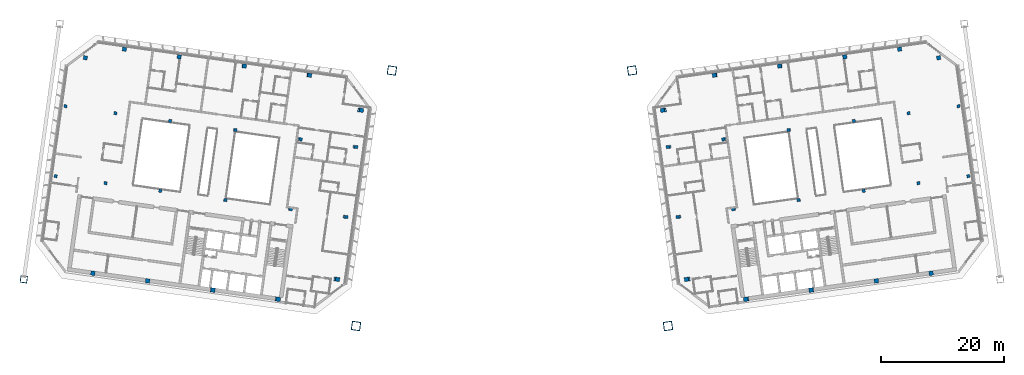
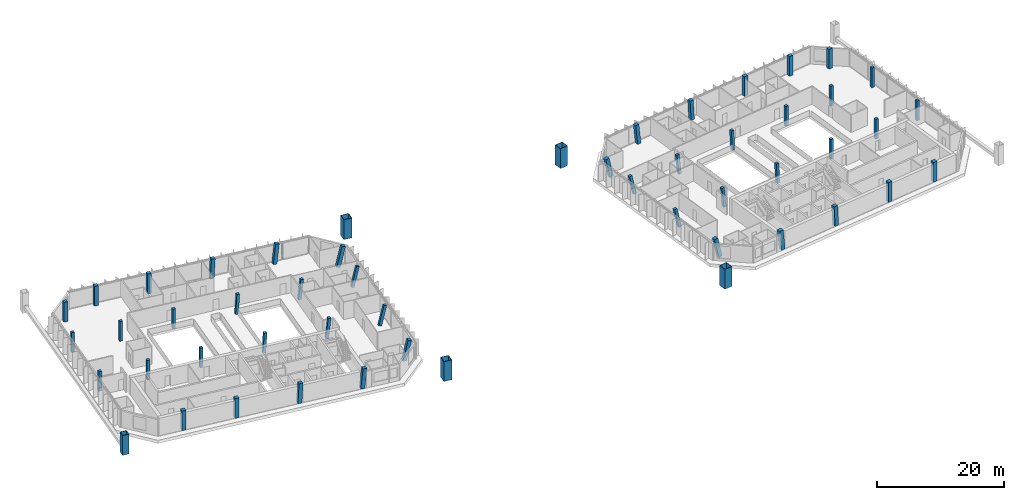
# One storey, part 1 of 26: 50 columns, 1 member.
"""IFC4 building model written with IfcOpenShell, lengths in metres."""

from ifc_helpers import new_model, si_unit, direction, frame, origin, origin_2d, place, context, subcontext, project, spatial, rectangle, hollow_rectangle, extrude, material, material_profile, profile_set, type_object, element, save


model = new_model("IFC4")

# Units and contexts
model_context = context("Model", 3, precision=1e-05, world=origin(), true_north=direction((0.0, 1.0)))
body_context = subcontext(model_context, "Body", "Model", "MODEL_VIEW")
ifc_project = project(units=[si_unit("LENGTHUNIT", "METRE"), si_unit("AREAUNIT", "SQUARE_METRE"), si_unit("VOLUMEUNIT", "CUBIC_METRE"), si_unit("PLANEANGLEUNIT", "RADIAN"), si_unit("MASSUNIT", "GRAM", prefix="KILO")], contexts=[model_context])

# Site, building, storey
site_placement = place(None, origin())
site = spatial("IfcSite", under=ifc_project, at=site_placement, CompositionType="ELEMENT")
building_placement = place(site_placement, origin())
building = spatial("IfcBuilding", under=site, at=building_placement, Name="Mirante Cascada Hotel Towers", CompositionType="ELEMENT")
storey_placement = place(building_placement, frame((0.0, 0.0, 216.6)))
storey = spatial("IfcBuildingStorey", under=building, at=storey_placement, Name="L51", CompositionType="ELEMENT", Elevation=216.6)

# Columns
ifc_material_1 = material(Name="Steel ASTM A572 Gr 50", Category="steel")
ifc_material_profile_1 = material_profile(ifc_material_1, hollow_rectangle(XDim=1.4, YDim=1.4, WallThickness=0.06, at=origin_2d()), Name="Box column 1400x1400x60 ASTM A572 Gr 50")
ifc_profile_set_1 = profile_set([ifc_material_profile_1], Name="Steel ASTM A572 Gr 50")
column_type_1 = type_object("IfcColumnType", Name="Box column 1400x1400x60 ASTM A572 Gr 50", PredefinedType="COLUMN", material=ifc_profile_set_1)
for number, where, z_axis, x_axis, name in (
    (1, (-19.5449, 17.737, 0.0), (0.0, 0.0, 1.0), (-0.9902681, 0.1391731, 0.0), "Mega column MC1 T1 L51"),
    (2, (-25.3901, -23.8543, 0.0), (0.0, 0.0, 1.0), (-0.9902681, 0.1391731, 0.0), "Mega column MC2 T1 L51"),
    (3, (19.5449, 17.737, 0.0), (0.0, 0.0, 1.0), (0.9902681, 0.1391731, 0.0), "Mega column MC1 T2 L51"),
    (4, (25.3901, -23.8543, 0.0), (0.0, 0.0, 1.0), (0.9902681, 0.1391731, 0.0), "Mega column MC2 T2 L51"),
):
    element("IfcColumn", number, at=place(storey_placement, frame(where, z_axis=z_axis, x_axis=x_axis)), inside=storey, type_object=column_type_1, Name=name, PredefinedType="COLUMN", context=body_context, shape_type="SweptSolid", body=[
        extrude(hollow_rectangle(XDim=1.4, YDim=1.4, WallThickness=0.06, at=origin_2d()), origin(), (0.0, 0.0, 1.0), 3.8),
    ])
ifc_material_2 = material(Name="Concrete C50/60", Category="concrete")
ifc_material_profile_2 = material_profile(ifc_material_2, rectangle(XDim=0.5, YDim=0.5, at=origin_2d()), Name="RC column 500x500 C50/60")
ifc_profile_set_2 = profile_set([ifc_material_profile_2], Name="Concrete C50/60")
column_type_2 = type_object("IfcColumnType", Name="RC column 500x500 C50/60", PredefinedType="COLUMN", material=ifc_profile_set_2)
for number, where, z_axis, x_axis, name in (
    (5, (-25.6288, 5.3128, 0.0268), (0.226053, -0.0317531, 0.9735973), (0.1391018, 0.9902781, 0.0), "Column T1 L51 2"),
    (6, (-27.2293, -6.0753, 0.0268), (0.226053, -0.0317531, 0.9735973), (0.1391018, 0.9902781, 0.0), "Column T1 L51 3"),
):
    element("IfcColumn", number, at=place(storey_placement, frame(where, z_axis=z_axis, x_axis=x_axis)), inside=storey, type_object=column_type_2, Name=name, PredefinedType="COLUMN", context=body_context, shape_type="SweptSolid", body=[
        extrude(rectangle(XDim=0.5, YDim=0.5, at=origin_2d()), origin(), (0.0, 0.0, 1.0), 3.861),
    ])
for number, where, z_axis, x_axis, name in (
    (7, (-34.5215, 6.5626, 0.004), (0.1055399, -0.0148411, 0.9943043), (0.1392511, 0.9902571, 0.0), "Column T1 L51 6"),
    (8, (-36.122, -4.8255, 0.004), (0.10554, -0.0148149, 0.9943047), (0.1390098, 0.990291, 0.0), "Column T1 L51 7"),
):
    element("IfcColumn", number, at=place(storey_placement, frame(where, z_axis=z_axis, x_axis=x_axis)), inside=storey, type_object=column_type_2, Name=name, PredefinedType="COLUMN", context=body_context, shape_type="SweptSolid", body=[
        extrude(rectangle(XDim=0.5, YDim=0.5, at=origin_2d()), origin(), (0.0, 0.0, 1.0), 3.8137),
    ])
for number, where, z_axis, x_axis, name in (
    (9, (-45.0831, 8.0469, 0.004), (0.0529831, -0.0074261, 0.9985678), (0.1388023, 0.9903201, 0.0), "Column T1 L51 10"),
    (10, (-46.6836, -3.3411, 0.004), (0.0529831, -0.0074524, 0.9985676), (0.139285, 0.9902523, 0.0), "Column T1 L51 11"),
):
    element("IfcColumn", number, at=place(storey_placement, frame(where, z_axis=z_axis, x_axis=x_axis)), inside=storey, type_object=column_type_2, Name=name, PredefinedType="COLUMN", context=body_context, shape_type="SweptSolid", body=[
        extrude(rectangle(XDim=0.5, YDim=0.5, at=origin_2d()), origin(), (0.0, 0.0, 1.0), 3.7974),
    ])
for number, where, z_axis, x_axis, name in (
    (11, (-55.6447, 9.5313, 0.0), (0.0, 0.0, 1.0), (-0.9902681, 0.1391731, 0.0), "Column T1 L51 14"),
    (12, (-57.2452, -1.8568, 0.0), (0.0, 0.0, 1.0), (-0.9902681, 0.1391731, 0.0), "Column T1 L51 15"),
    (13, (-64.5571, 10.7838, 0.0), (0.0, 0.0, 1.0), (-0.9902681, 0.1391731, 0.0), "Column T1 L51 18"),
    (14, (-66.1576, -0.6042, 0.0), (0.0, 0.0, 1.0), (-0.9902681, 0.1391731, 0.0), "Column T1 L51 19"),
    (15, (-72.6773, 11.9251, 0.0), (0.0, 0.0, 1.0), (-0.9902681, 0.1391731, 0.0), "Column T1 L51 22"),
    (16, (-74.2778, 0.537, 0.0), (0.0, 0.0, 1.0), (-0.9902681, 0.1391731, 0.0), "Column T1 L51 23"),
):
    element("IfcColumn", number, at=place(storey_placement, frame(where, z_axis=z_axis, x_axis=x_axis)), inside=storey, type_object=column_type_2, Name=name, PredefinedType="COLUMN", context=body_context, shape_type="SweptSolid", body=[
        extrude(rectangle(XDim=0.5, YDim=0.5, at=origin_2d()), origin(), (0.0, 0.0, 1.0), 3.8),
    ])
for number, where, z_axis, x_axis, name in (
    (17, (25.6288, 5.3128, 0.0268), (-0.226053, -0.0317531, 0.9735973), (0.1391018, -0.9902781, 0.0), "Column T2 L51 2"),
    (18, (27.2293, -6.0753, 0.0268), (-0.226053, -0.0317531, 0.9735973), (0.1391018, -0.9902781, 0.0), "Column T2 L51 3"),
):
    element("IfcColumn", number, at=place(storey_placement, frame(where, z_axis=z_axis, x_axis=x_axis)), inside=storey, type_object=column_type_2, Name=name, PredefinedType="COLUMN", context=body_context, shape_type="SweptSolid", body=[
        extrude(rectangle(XDim=0.5, YDim=0.5, at=origin_2d()), origin(), (0.0, 0.0, 1.0), 3.861),
    ])
for number, where, z_axis, x_axis, name in (
    (19, (34.5215, 6.5626, 0.004), (-0.1055399, -0.0148411, 0.9943043), (0.1392511, -0.9902571, 0.0), "Column T2 L51 6"),
    (20, (36.122, -4.8255, 0.004), (-0.10554, -0.0148149, 0.9943047), (0.1390098, -0.990291, 0.0), "Column T2 L51 7"),
):
    element("IfcColumn", number, at=place(storey_placement, frame(where, z_axis=z_axis, x_axis=x_axis)), inside=storey, type_object=column_type_2, Name=name, PredefinedType="COLUMN", context=body_context, shape_type="SweptSolid", body=[
        extrude(rectangle(XDim=0.5, YDim=0.5, at=origin_2d()), origin(), (0.0, 0.0, 1.0), 3.8137),
    ])
for number, where, z_axis, x_axis, name in (
    (21, (45.0831, 8.0469, 0.004), (-0.0529831, -0.0074261, 0.9985678), (0.1388023, -0.9903201, 0.0), "Column T2 L51 10"),
    (22, (46.6836, -3.3411, 0.004), (-0.0529831, -0.0074524, 0.9985676), (0.139285, -0.9902523, 0.0), "Column T2 L51 11"),
):
    element("IfcColumn", number, at=place(storey_placement, frame(where, z_axis=z_axis, x_axis=x_axis)), inside=storey, type_object=column_type_2, Name=name, PredefinedType="COLUMN", context=body_context, shape_type="SweptSolid", body=[
        extrude(rectangle(XDim=0.5, YDim=0.5, at=origin_2d()), origin(), (0.0, 0.0, 1.0), 3.7974),
    ])
for number, where, z_axis, x_axis, name in (
    (23, (55.6447, 9.5313, 0.0), (0.0, 0.0, 1.0), (0.9902681, 0.1391731, 0.0), "Column T2 L51 14"),
    (24, (57.2452, -1.8568, 0.0), (0.0, 0.0, 1.0), (0.9902681, 0.1391731, 0.0), "Column T2 L51 15"),
    (25, (64.5571, 10.7838, 0.0), (0.0, 0.0, 1.0), (0.9902681, 0.1391731, 0.0), "Column T2 L51 18"),
    (26, (66.1576, -0.6042, 0.0), (0.0, 0.0, 1.0), (0.9902681, 0.1391731, 0.0), "Column T2 L51 19"),
    (27, (72.6773, 11.9251, 0.0), (0.0, 0.0, 1.0), (0.9902681, 0.1391731, 0.0), "Column T2 L51 22"),
    (28, (74.2778, 0.537, 0.0), (0.0, 0.0, 1.0), (0.9902681, 0.1391731, 0.0), "Column T2 L51 23"),
):
    element("IfcColumn", number, at=place(storey_placement, frame(where, z_axis=z_axis, x_axis=x_axis)), inside=storey, type_object=column_type_2, Name=name, PredefinedType="COLUMN", context=body_context, shape_type="SweptSolid", body=[
        extrude(rectangle(XDim=0.5, YDim=0.5, at=origin_2d()), origin(), (0.0, 0.0, 1.0), 3.8),
    ])
ifc_material_3 = material(Name="Concrete C50/60", Category="concrete")
ifc_material_profile_3 = material_profile(ifc_material_3, rectangle(XDim=0.65, YDim=0.65, at=origin_2d()), Name="RC column 650x650 C50/60")
ifc_profile_set_3 = profile_set([ifc_material_profile_3], Name="Concrete C50/60")
column_type_3 = type_object("IfcColumnType", Name="RC column 650x650 C50/60", PredefinedType="COLUMN", material=ifc_profile_set_3)
for number, where, z_axis, x_axis, name in (
    (29, (-24.7921, 11.3047, 0.0039), (0.2260422, -0.0317654, 0.9735994), (0.1391614, 0.9902697, 0.0), "Column T1 L51 1"),
    (30, (-28.6611, -16.2248, 0.0039), (0.2260422, -0.0317654, 0.9735994), (0.1391614, 0.9902697, 0.0), "Column T1 L51 4"),
):
    element("IfcColumn", number, at=place(storey_placement, frame(where, z_axis=z_axis, x_axis=x_axis)), inside=storey, type_object=column_type_3, Name=name, PredefinedType="COLUMN", context=body_context, shape_type="SweptSolid", body=[
        extrude(rectangle(XDim=0.65, YDim=0.65, at=origin_2d()), origin(), (0.0, 0.0, 1.0), 3.8816),
    ])
column_1_placement = place(storey_placement, frame((-33.0567, 16.9852, 0.004), z_axis=(0.1055399, -0.0148411, 0.9943043), x_axis=(0.1392511, 0.9902571, 0.0)))
element("IfcColumn", 31, at=column_1_placement, inside=storey, type_object=column_type_3, Name="Column T1 L51 5", PredefinedType="COLUMN", context=body_context, shape_type="SweptSolid", body=[
    extrude(rectangle(XDim=0.65, YDim=0.65, at=origin_2d()), origin(), (0.0, 0.0, 1.0), 3.8137),
])
column_2_placement = place(storey_placement, frame((-43.6183, 18.4695, 0.004), z_axis=(0.0529831, -0.0074524, 0.9985676), x_axis=(0.139285, 0.9902523, 0.0)))
element("IfcColumn", 32, at=column_2_placement, inside=storey, type_object=column_type_3, Name="Column T1 L51 9", PredefinedType="COLUMN", context=body_context, shape_type="SweptSolid", body=[
    extrude(rectangle(XDim=0.65, YDim=0.65, at=origin_2d()), origin(), (0.0, 0.0, 1.0), 3.7974),
])
for number, where, z_axis, x_axis, name in (
    (33, (-54.1799, 19.9538, 0.0), (0.0, 0.0, 1.0), (-0.9902681, 0.1391731, 0.0), "Column T1 L51 13"),
    (34, (-63.0923, 21.2064, 0.0), (0.0, 0.0, 1.0), (-0.9902681, 0.1391731, 0.0), "Column T1 L51 17"),
    (35, (-69.4496, 19.8025, 0.0), (0.0, 0.0, 1.0), (-0.9902681, 0.1391731, 0.0), "Column T1 L51 21"),
):
    element("IfcColumn", number, at=place(storey_placement, frame(where, z_axis=z_axis, x_axis=x_axis)), inside=storey, type_object=column_type_3, Name=name, PredefinedType="COLUMN", context=body_context, shape_type="SweptSolid", body=[
        extrude(rectangle(XDim=0.65, YDim=0.65, at=origin_2d()), origin(), (0.0, 0.0, 1.0), 3.8),
    ])
for number, where, z_axis, x_axis, name in (
    (36, (24.7921, 11.3047, 0.0039), (-0.2260422, -0.0317654, 0.9735994), (0.1391614, -0.9902697, 0.0), "Column T2 L51 1"),
    (37, (28.6611, -16.2248, 0.0039), (-0.2260422, -0.0317654, 0.9735994), (0.1391614, -0.9902697, 0.0), "Column T2 L51 4"),
):
    element("IfcColumn", number, at=place(storey_placement, frame(where, z_axis=z_axis, x_axis=x_axis)), inside=storey, type_object=column_type_3, Name=name, PredefinedType="COLUMN", context=body_context, shape_type="SweptSolid", body=[
        extrude(rectangle(XDim=0.65, YDim=0.65, at=origin_2d()), origin(), (0.0, 0.0, 1.0), 3.8816),
    ])
column_3_placement = place(storey_placement, frame((33.0567, 16.9852, 0.004), z_axis=(-0.1055399, -0.0148411, 0.9943043), x_axis=(0.1392511, -0.9902571, 0.0)))
element("IfcColumn", 38, at=column_3_placement, inside=storey, type_object=column_type_3, Name="Column T2 L51 5", PredefinedType="COLUMN", context=body_context, shape_type="SweptSolid", body=[
    extrude(rectangle(XDim=0.65, YDim=0.65, at=origin_2d()), origin(), (0.0, 0.0, 1.0), 3.8137),
])
column_4_placement = place(storey_placement, frame((43.6183, 18.4695, 0.004), z_axis=(-0.0529831, -0.0074524, 0.9985676), x_axis=(0.139285, -0.9902523, 0.0)))
element("IfcColumn", 39, at=column_4_placement, inside=storey, type_object=column_type_3, Name="Column T2 L51 9", PredefinedType="COLUMN", context=body_context, shape_type="SweptSolid", body=[
    extrude(rectangle(XDim=0.65, YDim=0.65, at=origin_2d()), origin(), (0.0, 0.0, 1.0), 3.7974),
])
for number, where, z_axis, x_axis, name in (
    (40, (54.1799, 19.9538, 0.0), (0.0, 0.0, 1.0), (0.9902681, 0.1391731, 0.0), "Column T2 L51 13"),
    (41, (63.0923, 21.2064, 0.0), (0.0, 0.0, 1.0), (0.9902681, 0.1391731, 0.0), "Column T2 L51 17"),
    (42, (69.4496, 19.8025, 0.0), (0.0, 0.0, 1.0), (0.9902681, 0.1391731, 0.0), "Column T2 L51 21"),
):
    element("IfcColumn", number, at=place(storey_placement, frame(where, z_axis=z_axis, x_axis=x_axis)), inside=storey, type_object=column_type_3, Name=name, PredefinedType="COLUMN", context=body_context, shape_type="SweptSolid", body=[
        extrude(rectangle(XDim=0.65, YDim=0.65, at=origin_2d()), origin(), (0.0, 0.0, 1.0), 3.8),
    ])
ifc_material_4 = material(Name="Concrete C50/60", Category="concrete")
ifc_material_profile_4 = material_profile(ifc_material_4, rectangle(XDim=0.7, YDim=0.7, at=origin_2d()), Name="RC column 700x700 C50/60")
ifc_profile_set_4 = profile_set([ifc_material_profile_4], Name="Concrete C50/60")
column_type_4 = type_object("IfcColumnType", Name="RC column 700x700 C50/60", PredefinedType="COLUMN", material=ifc_profile_set_4)
column_5_placement = place(storey_placement, frame((-38.1818, -19.4814, 0.004), z_axis=(0.1055399, -0.0148411, 0.9943043), x_axis=(0.1392511, 0.9902571, 0.0)))
element("IfcColumn", 43, at=column_5_placement, inside=storey, type_object=column_type_4, Name="Column T1 L51 8", PredefinedType="COLUMN", context=body_context, shape_type="SweptSolid", body=[
    extrude(rectangle(XDim=0.7, YDim=0.7, at=origin_2d()), origin(), (0.0, 0.0, 1.0), 3.8137),
])
column_6_placement = place(storey_placement, frame((-48.7434, -17.9971, 0.004), z_axis=(0.0530093, -0.0074524, 0.9985662), x_axis=(0.1392171, 0.9902619, 0.0)))
element("IfcColumn", 44, at=column_6_placement, inside=storey, type_object=column_type_4, Name="Column T1 L51 12", PredefinedType="COLUMN", context=body_context, shape_type="SweptSolid", body=[
    extrude(rectangle(XDim=0.7, YDim=0.7, at=origin_2d()), origin(), (0.0, 0.0, 1.0), 3.7974),
])
for number, where, z_axis, x_axis, name in (
    (45, (-59.305, -16.5128, 0.0), (0.0, 0.0, 1.0), (-0.9902681, 0.1391731, 0.0), "Column T1 L51 16"),
    (46, (-68.2174, -15.2602, 0.0), (0.0, 0.0, 1.0), (-0.9902681, 0.1391731, 0.0), "Column T1 L51 20"),
):
    element("IfcColumn", number, at=place(storey_placement, frame(where, z_axis=z_axis, x_axis=x_axis)), inside=storey, type_object=column_type_4, Name=name, PredefinedType="COLUMN", context=body_context, shape_type="SweptSolid", body=[
        extrude(rectangle(XDim=0.7, YDim=0.7, at=origin_2d()), origin(), (0.0, 0.0, 1.0), 3.8),
    ])
column_7_placement = place(storey_placement, frame((38.1818, -19.4814, 0.004), z_axis=(-0.1055399, -0.0148411, 0.9943043), x_axis=(0.1392511, -0.9902571, 0.0)))
element("IfcColumn", 47, at=column_7_placement, inside=storey, type_object=column_type_4, Name="Column T2 L51 8", PredefinedType="COLUMN", context=body_context, shape_type="SweptSolid", body=[
    extrude(rectangle(XDim=0.7, YDim=0.7, at=origin_2d()), origin(), (0.0, 0.0, 1.0), 3.8137),
])
column_8_placement = place(storey_placement, frame((48.7434, -17.9971, 0.004), z_axis=(-0.0530093, -0.0074524, 0.9985662), x_axis=(0.1392171, -0.9902619, 0.0)))
element("IfcColumn", 48, at=column_8_placement, inside=storey, type_object=column_type_4, Name="Column T2 L51 12", PredefinedType="COLUMN", context=body_context, shape_type="SweptSolid", body=[
    extrude(rectangle(XDim=0.7, YDim=0.7, at=origin_2d()), origin(), (0.0, 0.0, 1.0), 3.7974),
])
for number, where, z_axis, x_axis, name in (
    (49, (59.305, -16.5128, 0.0), (0.0, 0.0, 1.0), (0.9902681, 0.1391731, 0.0), "Column T2 L51 16"),
    (50, (68.2174, -15.2602, 0.0), (0.0, 0.0, 1.0), (0.9902681, 0.1391731, 0.0), "Column T2 L51 20"),
):
    element("IfcColumn", number, at=place(storey_placement, frame(where, z_axis=z_axis, x_axis=x_axis)), inside=storey, type_object=column_type_4, Name=name, PredefinedType="COLUMN", context=body_context, shape_type="SweptSolid", body=[
        extrude(rectangle(XDim=0.7, YDim=0.7, at=origin_2d()), origin(), (0.0, 0.0, 1.0), 3.8),
    ])

# Member
ifc_material_5 = material(Name="Steel ASTM A572 Gr 50", Category="steel")
ifc_material_profile_5 = material_profile(ifc_material_5, hollow_rectangle(XDim=1.1, YDim=1.1, WallThickness=0.05, at=origin_2d()), Name="Box post 1100x1100x50 ASTM A572 Gr 50")
ifc_profile_set_5 = profile_set([ifc_material_profile_5], Name="Steel ASTM A572 Gr 50")
member_type = type_object("IfcMemberType", Name="Box post 1100x1100x50 ASTM A572 Gr 50", PredefinedType="POST", material=ifc_profile_set_5)
member_placement = place(storey_placement, frame((-79.4652, -16.2545, 0.0), z_axis=(0.0, 0.0, 1.0), x_axis=(-0.9902681, 0.1391731, 0.0)))
element("IfcMember", 51, at=member_placement, inside=storey, type_object=member_type, Name="Mega column MP4 T1 L51", PredefinedType="POST", context=body_context, shape_type="SweptSolid", body=[
    extrude(hollow_rectangle(XDim=1.1, YDim=1.1, WallThickness=0.05, at=origin_2d()), origin(), (0.0, 0.0, 1.0), 3.8),
])

save(model, "model.ifc")
